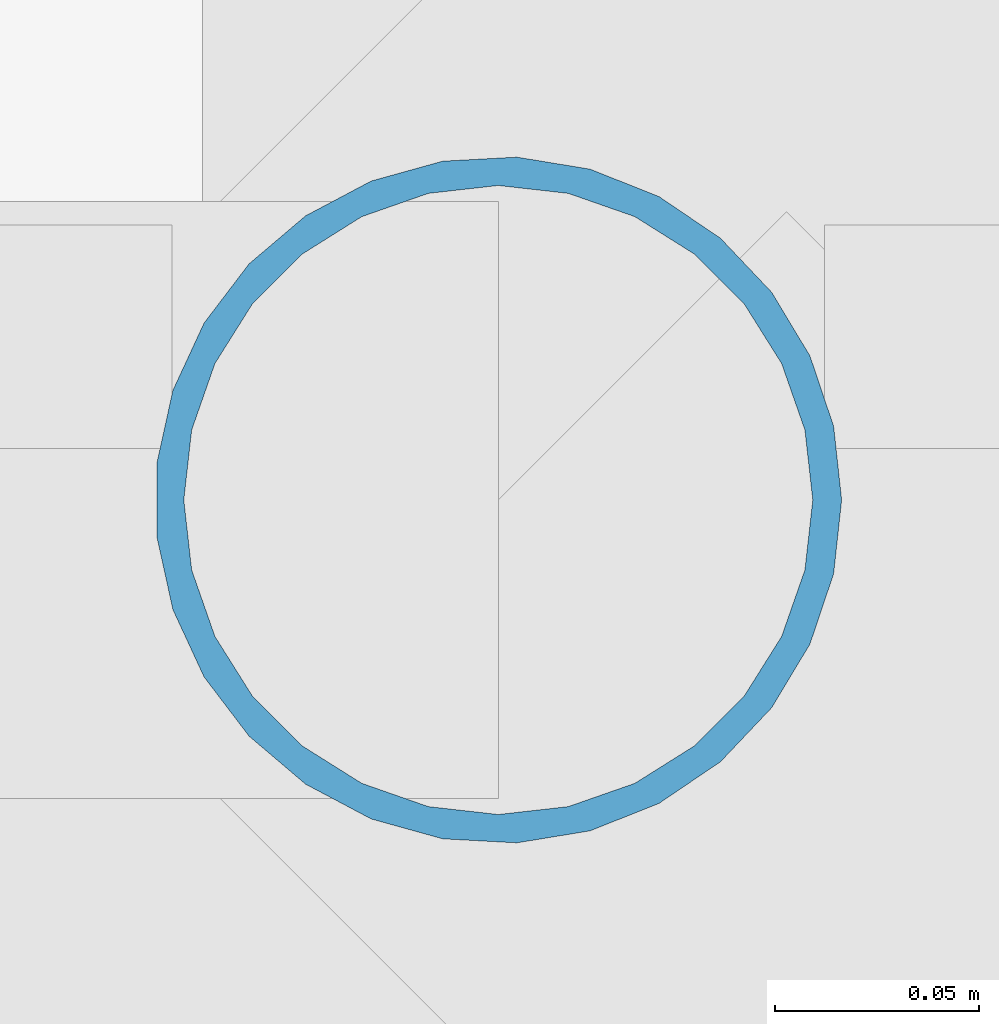
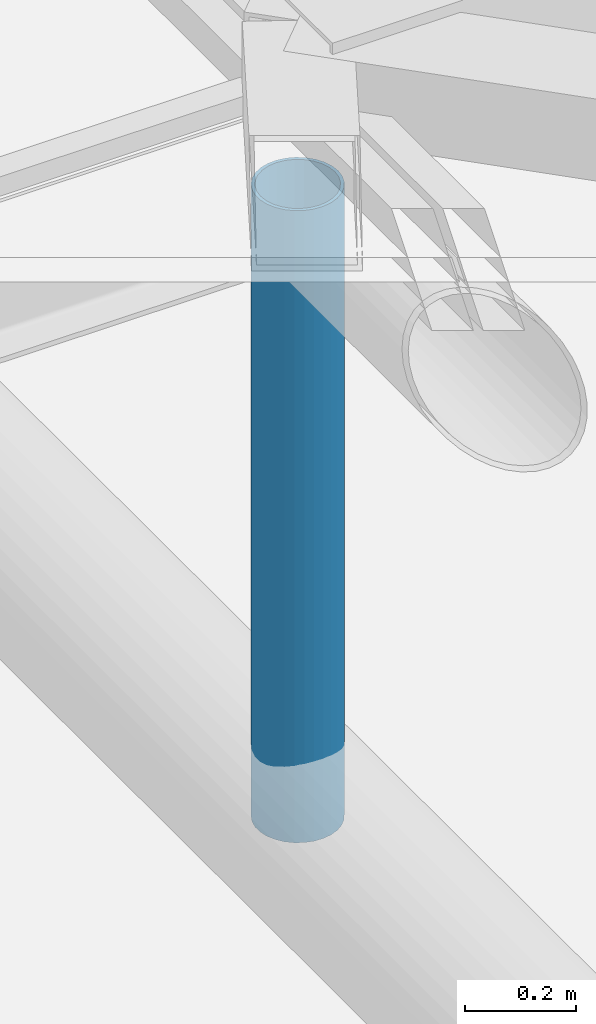
# One storey, part 6 of 80: 1 member.
"""IFC4 building model written with IfcOpenShell, lengths in metres."""

from ifc_helpers import new_model, si_unit, direction, frame, origin, origin_2d, place, context, subcontext, project, spatial, hollow_circle, extrude, material, material_profile, profile_set, type_object, element, save


model = new_model("IFC4")

# Units and contexts
model_context = context("Model", 3, precision=1e-05, world=origin(), true_north=direction((0.0, 1.0)))
body_context = subcontext(model_context, "Body", "Model", "MODEL_VIEW")
ifc_project = project(units=[si_unit("LENGTHUNIT", "METRE"), si_unit("AREAUNIT", "SQUARE_METRE"), si_unit("VOLUMEUNIT", "CUBIC_METRE"), si_unit("PLANEANGLEUNIT", "RADIAN"), si_unit("MASSUNIT", "GRAM", prefix="KILO"), si_unit("THERMODYNAMICTEMPERATUREUNIT", "KELVIN"), si_unit("POWERUNIT", "WATT")], contexts=[model_context])

# Site, building, storey
site_placement = place(None, origin())
site = spatial("IfcSite", under=ifc_project, at=site_placement, CompositionType="ELEMENT")
building_placement = place(site_placement, origin())
building = spatial("IfcBuilding", under=site, at=building_placement, Name="Tallowbark Science Centre", CompositionType="ELEMENT")
storey_placement = place(building_placement, frame((0.0, 0.0, 25.949951171875)))
storey = spatial("IfcBuildingStorey", under=building, at=storey_placement, Name="ROOF", CompositionType="ELEMENT", Elevation=25.949951171875)

# Member
ifc_material = material(Name="White Architectural Painted Steel Grade C350L0 (350 MPa)", Category="steel")
ifc_material_profile = material_profile(ifc_material, hollow_circle(Radius=0.084228515625, WallThickness=0.007080078125, at=origin_2d()), Name="168.3x7.1CHS")
ifc_profile_set = profile_set([ifc_material_profile], Name="White Architectural Painted Steel Grade C350L0 (350 MPa)")
member_type = type_object("IfcMemberType", Name="TR-WEB168", PredefinedType="BRACE", material=ifc_profile_set)
member_placement = place(storey_placement, frame((58.5, 22.5, -1.199951171875), z_axis=(0.0, 0.0, 1.0), x_axis=(1.0, 0.0, 0.0)))
element("IfcMember", 1, at=member_placement, inside=storey, type_object=member_type, Name="Exhibition Roof Truss Web 1-22.5", PredefinedType="BRACE", context=body_context, shape_type="SweptSolid", body=[
    extrude(hollow_circle(Radius=0.084228515625, WallThickness=0.007080078125, at=origin_2d()), origin(), (0.0, 0.0, 1.0), 1.389892578125),
])

save(model, "model.ifc")
